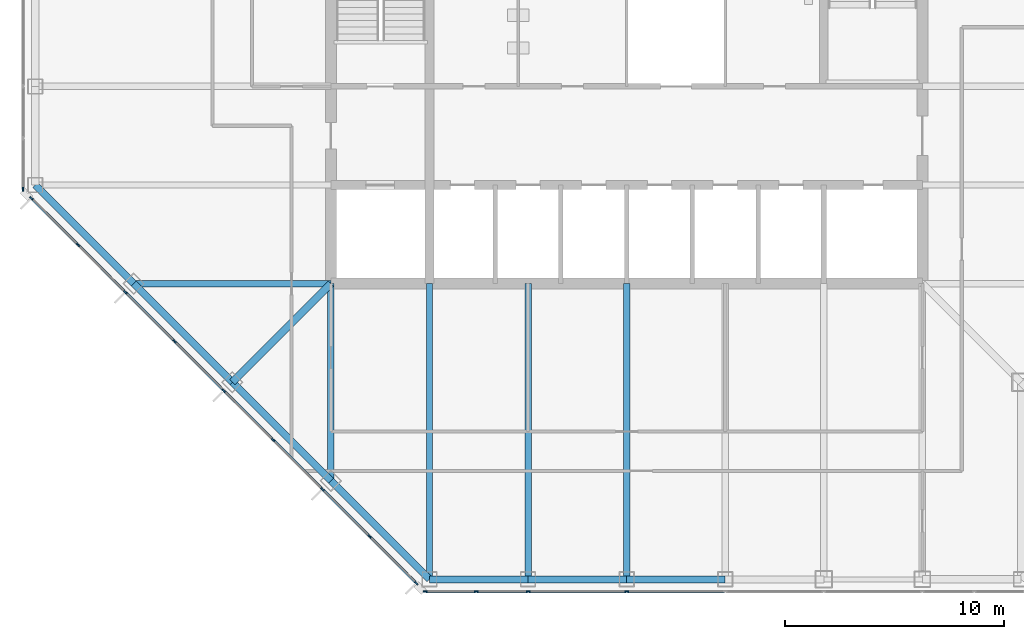
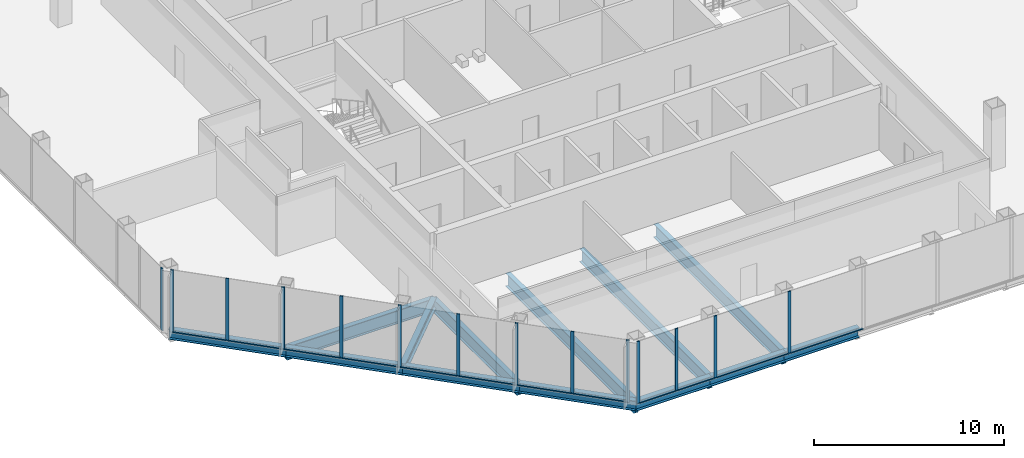
# One storey, part 2 of 13: 26 members, 13 beams, 3 elements without a shape of their own.
"""IFC4 building model written with IfcOpenShell, lengths in metres."""

import ifcopenshell
import ifcopenshell.guid

model = None  # the IFC model being written
_history = None  # IfcOwnerHistory: only IFC2X3 demands one
_inside = {}  # id of a spatial element -> (the spatial element, [elements in it])
_under = {}  # id of a project, library or spatial element -> (it, [spatial elements below it])
_declared = {}  # id of a project -> (the project, [libraries it declares])
_typed = {}  # id of a type object -> (the type object, [elements of that type])
_made_of = {}  # id of a material, layer set ... -> (it, [elements and type objects made of it])


def new_model(schema):
    """Start an empty IFC model of exactly this schema.

    Asked for "IFC4X3", IfcOpenShell would pick the latest addendum, in which some entities
    have other attributes; the version numbers below select the first issue.
    IFC2X3 requires an IfcOwnerHistory on every rooted entity: one is made here for all.
    """
    global model, _history
    if schema == "IFC4X3":
        model = ifcopenshell.file(schema_version=(4, 3, 0, 0))
    else:
        model = ifcopenshell.file(schema=schema)
    _inside.clear()
    _under.clear()
    _declared.clear()
    _typed.clear()
    _made_of.clear()
    _history = None
    if model.schema == "IFC2X3":
        org = make("IfcOrganization", Name="unknown")
        user = make(
            "IfcPersonAndOrganization",
            ThePerson=make("IfcPerson", FamilyName="unknown"),
            TheOrganization=org,
        )
        app = make(
            "IfcApplication",
            ApplicationDeveloper=org,
            Version="unknown",
            ApplicationFullName="unknown",
            ApplicationIdentifier="unknown",
        )
        _history = make(
            "IfcOwnerHistory",
            OwningUser=user,
            OwningApplication=app,
            ChangeAction="ADDED",
            CreationDate=0,
        )
    return model


def make(cls, **values):
    """One entity of the class cls with the attributes given. An attribute that is None is left unset."""
    return model.create_entity(
        cls, **{name: value for name, value in values.items() if value is not None}
    )


def rooted(cls, **values):
    """An entity with a GlobalId (a new one), such as an element, a storey or a relation."""
    return make(cls, GlobalId=ifcopenshell.guid.new(), OwnerHistory=_history, **values)


def si_unit(unit_type, name, prefix=None):
    """IfcSIUnit, for example si_unit("LENGTHUNIT", "METRE", prefix="MILLI")."""
    return make("IfcSIUnit", UnitType=unit_type, Prefix=prefix, Name=name)


def assignment(units):
    """IfcUnitAssignment: the units of a project."""
    return None if units is None else make("IfcUnitAssignment", Units=units)


def point(xyz):
    """IfcCartesianPoint."""
    return None if xyz is None else make("IfcCartesianPoint", Coordinates=xyz)


def direction(xyz):
    """IfcDirection."""
    return None if xyz is None else make("IfcDirection", DirectionRatios=xyz)


def frame(location, z_axis=None, x_axis=None):
    """IfcAxis2Placement3D, a coordinate frame: its origin and axes. An axis left out is left unset."""
    return make(
        "IfcAxis2Placement3D",
        Location=point(location),
        Axis=direction(z_axis),
        RefDirection=direction(x_axis),
    )


def frame_2d(location, x_axis=None):
    """IfcAxis2Placement2D, a coordinate frame in the plane: its origin and x axis."""
    return make(
        "IfcAxis2Placement2D", Location=point(location), RefDirection=direction(x_axis)
    )


def origin():
    """The frame at (0, 0, 0) with its axes left unset."""
    return frame((0.0, 0.0, 0.0))


def origin_2d():
    """The frame at (0, 0) in the plane with its x axis left unset."""
    return frame_2d((0.0, 0.0))


def place(relative_to, where):
    """IfcLocalPlacement: puts the frame where relative to a parent placement (None: the world)."""
    return make(
        "IfcLocalPlacement", PlacementRelTo=relative_to, RelativePlacement=where
    )


def context(
    kind, dimensions, precision=None, world=None, true_north=None, identifier=None
):
    """IfcGeometricRepresentationContext, for example the 3D "Model" context."""
    return make(
        "IfcGeometricRepresentationContext",
        ContextIdentifier=identifier,
        ContextType=kind,
        CoordinateSpaceDimension=dimensions,
        Precision=precision,
        WorldCoordinateSystem=world,
        TrueNorth=true_north,
    )


def subcontext(parent, identifier, kind, view, scale=None):
    """IfcGeometricRepresentationSubContext, for example "Body" below "Model"."""
    return make(
        "IfcGeometricRepresentationSubContext",
        ContextIdentifier=identifier,
        ContextType=kind,
        ParentContext=parent,
        TargetScale=scale,
        TargetView=view,
    )


def project(units=None, contexts=None):
    """IfcProject with its units and contexts."""
    return rooted(
        "IfcProject",
        Name="project",
        RepresentationContexts=contexts,
        UnitsInContext=assignment(units),
    )


def spatial(cls, under=None, at=None, **own):
    """A site, building, storey or space (cls), placed at a placement, below another one or the project."""
    s = rooted(cls, ObjectPlacement=at, **own)
    if under is not None:
        _under.setdefault(under.id(), (under, []))[1].append(s)
    return s


def profile(cls, at=None, kind="AREA", **sizes):
    """A parametric profile (cls). Its sizes go by their IFC names, for example OverallWidth=200.0."""
    return make(cls, ProfileType=kind, Position=at, **sizes)


def rectangle(**sizes):
    """IfcRectangleProfileDef."""
    return profile("IfcRectangleProfileDef", **sizes)


def i_section(**sizes):
    """IfcIShapeProfileDef."""
    return profile("IfcIShapeProfileDef", **sizes)


def extrude(swept, where, along, depth):
    """IfcExtrudedAreaSolid: the profile swept, set in the frame where, extruded along a direction by depth."""
    return make(
        "IfcExtrudedAreaSolid",
        SweptArea=swept,
        Position=where,
        ExtrudedDirection=direction(along),
        Depth=depth,
    )


def shape(context_of_items, identifier, shape_type, items):
    """IfcShapeRepresentation: the items that make up one representation, for example the "Body"."""
    return make(
        "IfcShapeRepresentation",
        ContextOfItems=context_of_items,
        RepresentationIdentifier=identifier,
        RepresentationType=shape_type,
        Items=items,
    )


def material(Name=None, Category=None):
    """IfcMaterial."""
    return make("IfcMaterial", Name=Name, Category=Category)


def material_profile(
    of_material, cross_section, Name=None, Category=None, Priority=None
):
    """IfcMaterialProfile: a cross section and its material."""
    return make(
        "IfcMaterialProfile",
        Name=Name,
        Material=of_material,
        Profile=cross_section,
        Priority=Priority,
        Category=Category,
    )


def profile_set(profiles, Name=None, composite=None):
    """IfcMaterialProfileSet."""
    return make(
        "IfcMaterialProfileSet",
        Name=Name,
        MaterialProfiles=profiles,
        CompositeProfile=composite,
    )


def made_of(thing, what):
    """Note that an element or type object is made of a material, layer set ...; save() writes the relation."""
    if what is not None:
        _made_of.setdefault(what.id(), (what, []))[1].append(thing)
    return thing


def type_object(cls, material=None, **own):
    """A type object (cls), such as IfcWallType, which elements share."""
    return made_of(rooted(cls, **own), material)


def element(
    cls,
    number,
    at=None,
    inside=None,
    cuts=None,
    type_object=None,
    material=None,
    context=None,
    identifier="Body",
    shape_type=None,
    held_by="IfcProductDefinitionShape",
    body=None,
    shapes=None,
    **own,
):
    """One element of the class cls, such as IfcWall. Its Tag is "e" and its number.

    at: its placement. inside: the storey or other place that contains it. cuts: it is an
    opening in that element (IfcRelVoidsElement). A single representation is given by context,
    identifier, shape_type and body (its items); several are given by shapes. held_by: the class
    of the entity that holds the representations. save() writes the other relations.
    """
    e = rooted(cls, Tag="e%d" % number, ObjectPlacement=at, **own)
    if body is not None:
        shapes = [shape(context, identifier, shape_type, body)]
    if shapes is not None:
        e.Representation = make(held_by, Representations=shapes)
    if inside is not None:
        _inside.setdefault(inside.id(), (inside, []))[1].append(e)
    if cuts is not None:
        rooted(
            "IfcRelVoidsElement", RelatingBuildingElement=cuts, RelatedOpeningElement=e
        )
    if type_object is not None:
        _typed.setdefault(type_object.id(), (type_object, []))[1].append(e)
    return made_of(e, material)


def aggregate(whole, parts):
    """IfcRelAggregates: a whole, such as a stair, and the parts it consists of."""
    return rooted("IfcRelAggregates", RelatingObject=whole, RelatedObjects=parts)


def save(model, path):
    """Write the relations noted so far, then the file.

    IfcRelAggregates (storeys below a building ...), IfcRelContainedInSpatialStructure (elements
    in a storey), IfcRelDefinesByType, IfcRelAssociatesMaterial and IfcRelDeclares: one each for
    every whole, place, type object, material and project.
    """
    for whole, parts in _under.values():
        aggregate(whole, parts)
    for where, things in _inside.values():
        rooted(
            "IfcRelContainedInSpatialStructure",
            RelatedElements=things,
            RelatingStructure=where,
        )
    for kind, things in _typed.values():
        rooted("IfcRelDefinesByType", RelatedObjects=things, RelatingType=kind)
    for what, things in _made_of.values():
        rooted("IfcRelAssociatesMaterial", RelatedObjects=things, RelatingMaterial=what)
    for by, libraries in _declared.values():
        rooted("IfcRelDeclares", RelatingContext=by, RelatedDefinitions=libraries)
    model.write(path)


model = new_model("IFC4")

# Units and contexts
model_context = context("Model", 3, precision=1e-05, world=origin(), true_north=direction((0.0, 1.0)))
body_context = subcontext(model_context, "Body", "Model", "MODEL_VIEW")
ifc_project = project(units=[si_unit("LENGTHUNIT", "METRE"), si_unit("AREAUNIT", "SQUARE_METRE"), si_unit("VOLUMEUNIT", "CUBIC_METRE"), si_unit("PLANEANGLEUNIT", "RADIAN"), si_unit("MASSUNIT", "GRAM", prefix="KILO")], contexts=[model_context])

# Site, building, storey
site_placement = place(None, origin())
site = spatial("IfcSite", under=ifc_project, at=site_placement, CompositionType="ELEMENT")
building_placement = place(site_placement, origin())
building = spatial("IfcBuilding", under=site, at=building_placement, Name="Corais Broadcast Tower", CompositionType="ELEMENT")
storey_placement = place(building_placement, frame((0.0, 0.0, 167.60009765625)))
storey = spatial("IfcBuildingStorey", under=building, at=storey_placement, Name="L38", CompositionType="ELEMENT", Elevation=167.60009765625)

# Beams
ifc_material_1 = material(Name="Steel ASTM A572 Grade 50", Category="steel")
ifc_material_profile_1 = material_profile(ifc_material_1, i_section(OverallWidth=0.323974609375, OverallDepth=0.611083984375, WebThickness=0.0126953125, FlangeThickness=0.01904296875, at=origin_2d()), Name="W610x155")
ifc_profile_set_1 = profile_set([ifc_material_profile_1], Name="Steel ASTM A572 Grade 50")
beam_type_1 = type_object("IfcBeamType", Name="Corner diagonal W610x155", PredefinedType="BEAM", material=ifc_profile_set_1)
beam_1_placement = place(storey_placement, frame((9.0, 9.0, -0.465576171875), z_axis=(0.707106781187, 0.707106781187, 0.0), x_axis=(-0.707106781187, 0.707106781187, 0.0)))
element("IfcBeam", 1, at=beam_1_placement, inside=storey, type_object=beam_type_1, Name="B6 C/5 to D/6", PredefinedType="BEAM", context=body_context, shape_type="SweptSolid", body=[
    extrude(i_section(OverallWidth=0.323974609375, OverallDepth=0.611083984375, WebThickness=0.0126953125, FlangeThickness=0.01904296875, at=origin_2d()), origin(), (0.0, 0.0, 1.0), 6.364013671875),
])
ifc_material_2 = material(Name="Steel ASTM A572 Grade 50", Category="steel")
ifc_material_profile_2 = material_profile(ifc_material_2, i_section(OverallWidth=0.2939453125, OverallDepth=0.85107421875, WebThickness=0.01611328125, FlangeThickness=0.02685546875, at=origin_2d()), Name="W840x226")
ifc_profile_set_2 = profile_set([ifc_material_profile_2], Name="Steel ASTM A572 Grade 50")
beam_type_2 = type_object("IfcBeamType", Name="Floor beam W840x226", PredefinedType="BEAM", material=ifc_profile_set_2)
beam_2_placement = place(storey_placement, frame((13.5, 4.5, -0.585693359375), z_axis=(0.0, 1.0, 0.0), x_axis=(-1.0, 0.0, 0.0)))
element("IfcBeam", 2, at=beam_2_placement, inside=storey, type_object=beam_type_2, Name="B1 B/6 to D/6", PredefinedType="BEAM", context=body_context, shape_type="SweptSolid", body=[
    extrude(i_section(OverallWidth=0.2939453125, OverallDepth=0.85107421875, WebThickness=0.01611328125, FlangeThickness=0.02685546875, at=origin_2d()), origin(), (0.0, 0.0, 1.0), 9.0),
])
for number, where, z_axis, x_axis, name in (
    (3, (18.0, 0.0, -0.585693359375), (0.0, 1.0, 0.0), (-1.0, 0.0, 0.0), "B1 A/7 to D/7"),
    (4, (22.5, 0.0, -0.585693359375), (0.0, 1.0, 0.0), (-1.0, 0.0, 0.0), "B1 A/8 to D/8"),
    (5, (27.0, 0.0, -0.585693359375), (0.0, 1.0, 0.0), (-1.0, 0.0, 0.0), "B1 A/9 to D/9"),
):
    element("IfcBeam", number, at=place(storey_placement, frame(where, z_axis=z_axis, x_axis=x_axis)), inside=storey, type_object=beam_type_2, Name=name, PredefinedType="BEAM", context=body_context, shape_type="SweptSolid", body=[
        extrude(i_section(OverallWidth=0.2939453125, OverallDepth=0.85107421875, WebThickness=0.01611328125, FlangeThickness=0.02685546875, at=origin_2d()), origin(), (0.0, 0.0, 1.0), 13.5),
    ])
beam_3_placement = place(storey_placement, frame((4.5, 13.5, -0.585693359375), z_axis=(1.0, 0.0, 0.0), x_axis=(0.0, 1.0, 0.0)))
element("IfcBeam", 6, at=beam_3_placement, inside=storey, type_object=beam_type_2, Name="B1 D/4 to D/6", PredefinedType="BEAM", context=body_context, shape_type="SweptSolid", body=[
    extrude(i_section(OverallWidth=0.2939453125, OverallDepth=0.85107421875, WebThickness=0.01611328125, FlangeThickness=0.02685546875, at=origin_2d()), origin(), (0.0, 0.0, 1.0), 9.0),
])

# Curtain wall, members
ifc_material_3 = material(Name="Aluminium and glass", Category="aluminium")
curtain_wall_type = type_object("IfcCurtainWallType", Name="Unitised fritted curtain wall CW2", PredefinedType="NOTDEFINED", material=ifc_material_3)
curtain_wall_1_placement = place(storey_placement, origin())
curtain_wall_1 = element("IfcCurtainWall", 7, at=curtain_wall_1_placement, inside=storey, type_object=curtain_wall_type, Name="CW2 curtain wall L38 1", PredefinedType="NOTDEFINED")
ifc_material_4 = material(Name="Aluminium 6063-T6", Category="aluminium")
ifc_material_profile_3 = material_profile(ifc_material_4, rectangle(XDim=0.06494140625, YDim=0.179931640625, at=origin_2d()), Name="Mullion CW2 65x180")
ifc_profile_set_3 = profile_set([ifc_material_profile_3], Name="Aluminium 6063-T6")
member_type_1 = type_object("IfcMemberType", Name="Mullion CW2 65x180", PredefinedType="MULLION", material=ifc_profile_set_3)
member_1_placement = place(storey_placement, frame((17.3955078125, -0.17333984375, 0.0), z_axis=(0.0, 0.0, 1.0), x_axis=(-0.707106781187, -0.707106781187, 0.0)))
member_1 = element("IfcMember", 8, at=member_1_placement, type_object=member_type_1, Name="CW2 mullion 1", PredefinedType="MULLION", context=body_context, shape_type="SweptSolid", body=[
    extrude(rectangle(XDim=0.06494140625, YDim=0.179931640625, at=origin_2d()), origin(), (0.0, 0.0, 1.0), 4.0),
])
member_2_placement = place(storey_placement, frame((15.264892578125, 1.957275390625, 0.0), z_axis=(0.0, 0.0, 1.0), x_axis=(-0.707106781187, -0.707106781187, 0.0)))
member_2 = element("IfcMember", 9, at=member_2_placement, type_object=member_type_1, Name="CW2 mullion 2", PredefinedType="MULLION", context=body_context, shape_type="SweptSolid", body=[
    extrude(rectangle(XDim=0.06494140625, YDim=0.179931640625, at=origin_2d()), origin(), (0.0, 0.0, 1.0), 4.0),
])
member_3_placement = place(storey_placement, frame((13.111083984375, 4.111083984375, 0.0), z_axis=(0.0, 0.0, 1.0), x_axis=(-0.707106781187, -0.707106781187, 0.0)))
member_3 = element("IfcMember", 10, at=member_3_placement, type_object=member_type_1, Name="CW2 mullion 3", PredefinedType="MULLION", context=body_context, shape_type="SweptSolid", body=[
    extrude(rectangle(XDim=0.06494140625, YDim=0.179931640625, at=origin_2d()), origin(), (0.0, 0.0, 1.0), 4.0),
])
member_4_placement = place(storey_placement, frame((10.861083984375, 6.361083984375, 0.0), z_axis=(0.0, 0.0, 1.0), x_axis=(-0.707106781187, -0.707106781187, 0.0)))
member_4 = element("IfcMember", 11, at=member_4_placement, type_object=member_type_1, Name="CW2 mullion 4", PredefinedType="MULLION", context=body_context, shape_type="SweptSolid", body=[
    extrude(rectangle(XDim=0.06494140625, YDim=0.179931640625, at=origin_2d()), origin(), (0.0, 0.0, 1.0), 4.0),
])
member_5_placement = place(storey_placement, frame((8.611083984375, 8.611083984375, 0.0), z_axis=(0.0, 0.0, 1.0), x_axis=(-0.707106781187, -0.707106781187, 0.0)))
member_5 = element("IfcMember", 12, at=member_5_placement, type_object=member_type_1, Name="CW2 mullion 5", PredefinedType="MULLION", context=body_context, shape_type="SweptSolid", body=[
    extrude(rectangle(XDim=0.06494140625, YDim=0.179931640625, at=origin_2d()), origin(), (0.0, 0.0, 1.0), 4.0),
])
member_6_placement = place(storey_placement, frame((6.361083984375, 10.861083984375, 0.0), z_axis=(0.0, 0.0, 1.0), x_axis=(-0.707106781187, -0.707106781187, 0.0)))
member_6 = element("IfcMember", 13, at=member_6_placement, type_object=member_type_1, Name="CW2 mullion 6", PredefinedType="MULLION", context=body_context, shape_type="SweptSolid", body=[
    extrude(rectangle(XDim=0.06494140625, YDim=0.179931640625, at=origin_2d()), origin(), (0.0, 0.0, 1.0), 4.0),
])
member_7_placement = place(storey_placement, frame((4.111083984375, 13.111083984375, 0.0), z_axis=(0.0, 0.0, 1.0), x_axis=(-0.707106781187, -0.707106781187, 0.0)))
member_7 = element("IfcMember", 14, at=member_7_placement, type_object=member_type_1, Name="CW2 mullion 7", PredefinedType="MULLION", context=body_context, shape_type="SweptSolid", body=[
    extrude(rectangle(XDim=0.06494140625, YDim=0.179931640625, at=origin_2d()), origin(), (0.0, 0.0, 1.0), 4.0),
])
member_8_placement = place(storey_placement, frame((1.957275390625, 15.264892578125, 0.0), z_axis=(0.0, 0.0, 1.0), x_axis=(-0.707106781187, -0.707106781187, 0.0)))
member_8 = element("IfcMember", 15, at=member_8_placement, type_object=member_type_1, Name="CW2 mullion 8", PredefinedType="MULLION", context=body_context, shape_type="SweptSolid", body=[
    extrude(rectangle(XDim=0.06494140625, YDim=0.179931640625, at=origin_2d()), origin(), (0.0, 0.0, 1.0), 4.0),
])
member_9_placement = place(storey_placement, frame((-0.17333984375, 17.3955078125, 0.0), z_axis=(0.0, 0.0, 1.0), x_axis=(-0.707106781187, -0.707106781187, 0.0)))
member_9 = element("IfcMember", 16, at=member_9_placement, type_object=member_type_1, Name="CW2 mullion 9", PredefinedType="MULLION", context=body_context, shape_type="SweptSolid", body=[
    extrude(rectangle(XDim=0.06494140625, YDim=0.179931640625, at=origin_2d()), origin(), (0.0, 0.0, 1.0), 4.0),
])

# Curtain wall, member
curtain_wall_2_placement = place(storey_placement, origin())
curtain_wall_2 = element("IfcCurtainWall", 17, at=curtain_wall_2_placement, inside=storey, type_object=curtain_wall_type, Name="CW2 curtain wall L38 2", PredefinedType="NOTDEFINED")
member_10_placement = place(storey_placement, frame((-0.550048828125, 17.8046875, 0.0), z_axis=(0.0, 0.0, 1.0), x_axis=(-1.0, 0.0, 0.0)))
member_10 = element("IfcMember", 18, at=member_10_placement, type_object=member_type_1, Name="CW2 mullion 1", PredefinedType="MULLION", context=body_context, shape_type="SweptSolid", body=[
    extrude(rectangle(XDim=0.06494140625, YDim=0.179931640625, at=origin_2d()), origin(), (0.0, 0.0, 1.0), 4.0),
])
aggregate(curtain_wall_2, [member_10])

# Curtain wall, members
curtain_wall_3_placement = place(storey_placement, origin())
curtain_wall_3 = element("IfcCurtainWall", 19, at=curtain_wall_3_placement, inside=storey, type_object=curtain_wall_type, Name="CW2 curtain wall L38 8", PredefinedType="NOTDEFINED")
member_11_placement = place(storey_placement, frame((27.0, -0.550048828125, 0.0), z_axis=(0.0, 0.0, 1.0), x_axis=(0.0, -1.0, 0.0)))
member_11 = element("IfcMember", 20, at=member_11_placement, type_object=member_type_1, Name="CW2 mullion 6", PredefinedType="MULLION", context=body_context, shape_type="SweptSolid", body=[
    extrude(rectangle(XDim=0.06494140625, YDim=0.179931640625, at=origin_2d()), origin(), (0.0, 0.0, 1.0), 4.0),
])
member_12_placement = place(storey_placement, frame((22.5, -0.550048828125, 0.0), z_axis=(0.0, 0.0, 1.0), x_axis=(0.0, -1.0, 0.0)))
member_12 = element("IfcMember", 21, at=member_12_placement, type_object=member_type_1, Name="CW2 mullion 7", PredefinedType="MULLION", context=body_context, shape_type="SweptSolid", body=[
    extrude(rectangle(XDim=0.06494140625, YDim=0.179931640625, at=origin_2d()), origin(), (0.0, 0.0, 1.0), 4.0),
])
member_13_placement = place(storey_placement, frame((20.135986328125, -0.550048828125, 0.0), z_axis=(0.0, 0.0, 1.0), x_axis=(0.0, -1.0, 0.0)))
member_13 = element("IfcMember", 22, at=member_13_placement, type_object=member_type_1, Name="CW2 mullion 8", PredefinedType="MULLION", context=body_context, shape_type="SweptSolid", body=[
    extrude(rectangle(XDim=0.06494140625, YDim=0.179931640625, at=origin_2d()), origin(), (0.0, 0.0, 1.0), 4.0),
])
member_14_placement = place(storey_placement, frame((17.8046875, -0.550048828125, 0.0), z_axis=(0.0, 0.0, 1.0), x_axis=(0.0, -1.0, 0.0)))
member_14 = element("IfcMember", 23, at=member_14_placement, type_object=member_type_1, Name="CW2 mullion 9", PredefinedType="MULLION", context=body_context, shape_type="SweptSolid", body=[
    extrude(rectangle(XDim=0.06494140625, YDim=0.179931640625, at=origin_2d()), origin(), (0.0, 0.0, 1.0), 4.0),
])

# Beams
ifc_material_5 = material(Name="Steel ASTM A572 Grade 50", Category="steel")
ifc_material_profile_4 = material_profile(ifc_material_5, i_section(OverallWidth=0.3291015625, OverallDepth=0.635009765625, WebThickness=0.017822265625, FlangeThickness=0.031005859375, at=origin_2d()), Name="W610x241")
ifc_profile_set_4 = profile_set([ifc_material_profile_4], Name="Steel ASTM A572 Grade 50")
beam_type_3 = type_object("IfcBeamType", Name="Spandrel W610x241", PredefinedType="BEAM", material=ifc_profile_set_4)
for number, where, z_axis, x_axis, name in (
    (24, (0.0, 18.0, -0.4775390625), (0.707106781187, -0.707106781187, 0.0), (0.707106781187, 0.707106781187, 0.0), "SB1 E/3 to D/4"),
    (25, (13.5, 4.5, -0.4775390625), (0.707106781187, -0.707106781187, 0.0), (0.707106781187, 0.707106781187, 0.0), "SB1 B/6 to A/7"),
):
    element("IfcBeam", number, at=place(storey_placement, frame(where, z_axis=z_axis, x_axis=x_axis)), inside=storey, type_object=beam_type_3, Name=name, PredefinedType="BEAM", context=body_context, shape_type="SweptSolid", body=[
        extrude(i_section(OverallWidth=0.3291015625, OverallDepth=0.635009765625, WebThickness=0.017822265625, FlangeThickness=0.031005859375, at=origin_2d()), origin(), (0.0, 0.0, 1.0), 6.364013671875),
    ])
for number, where, z_axis, x_axis, name in (
    (26, (18.0, 0.0, -0.4775390625), (1.0, 0.0, 0.0), (0.0, 1.0, 0.0), "SB1 A/7 to A/8"),
    (27, (22.5, 0.0, -0.4775390625), (1.0, 0.0, 0.0), (0.0, 1.0, 0.0), "SB1 A/8 to A/9"),
    (28, (27.0, 0.0, -0.4775390625), (1.0, 0.0, 0.0), (0.0, 1.0, 0.0), "SB1 A/9 to A/10"),
):
    element("IfcBeam", number, at=place(storey_placement, frame(where, z_axis=z_axis, x_axis=x_axis)), inside=storey, type_object=beam_type_3, Name=name, PredefinedType="BEAM", context=body_context, shape_type="SweptSolid", body=[
        extrude(i_section(OverallWidth=0.3291015625, OverallDepth=0.635009765625, WebThickness=0.017822265625, FlangeThickness=0.031005859375, at=origin_2d()), origin(), (0.0, 0.0, 1.0), 4.5),
    ])
for number, where, z_axis, x_axis, name in (
    (29, (4.5, 13.5, -0.4775390625), (0.707106781187, -0.707106781187, 0.0), (0.707106781187, 0.707106781187, 0.0), "SB1 D/4 to C/5"),
    (30, (9.0, 9.0, -0.4775390625), (0.707106781187, -0.707106781187, 0.0), (0.707106781187, 0.707106781187, 0.0), "SB1 C/5 to B/6"),
):
    element("IfcBeam", number, at=place(storey_placement, frame(where, z_axis=z_axis, x_axis=x_axis)), inside=storey, type_object=beam_type_3, Name=name, PredefinedType="BEAM", context=body_context, shape_type="SweptSolid", body=[
        extrude(i_section(OverallWidth=0.3291015625, OverallDepth=0.635009765625, WebThickness=0.017822265625, FlangeThickness=0.031005859375, at=origin_2d()), origin(), (0.0, 0.0, 1.0), 6.364013671875),
    ])

# Member
ifc_material_6 = material(Name="Aluminium 6063-T6", Category="aluminium")
ifc_material_profile_5 = material_profile(ifc_material_6, rectangle(XDim=0.1298828125, YDim=0.06494140625, at=origin_2d()), Name="Transom CW2 65x130")
ifc_profile_set_5 = profile_set([ifc_material_profile_5], Name="Aluminium 6063-T6")
member_type_2 = type_object("IfcMemberType", Name="Transom CW2 65x130", PredefinedType="USERDEFINED", material=ifc_profile_set_5)
member_15_placement = place(storey_placement, frame((17.37255859375, -0.150390625, 0.032470703125), z_axis=(-0.707106781187, 0.707106781187, 0.0), x_axis=(-0.707106781187, -0.707106781187, 0.0)))
member_15 = element("IfcMember", 31, at=member_15_placement, type_object=member_type_2, Name="CW2 transom 1.1", ObjectType="TRANSOM", PredefinedType="USERDEFINED", context=body_context, shape_type="SweptSolid", body=[
    extrude(rectangle(XDim=0.1298828125, YDim=0.06494140625, at=origin_2d()), origin(), (0.0, 0.0, 1.0), 2.9482421875),
])

member_16_placement = place(storey_placement, frame((15.241943359375, 1.980224609375, 0.032470703125), z_axis=(-0.707106781187, 0.707106781187, 0.0), x_axis=(-0.707106781187, -0.707106781187, 0.0)))
member_16 = element("IfcMember", 32, at=member_16_placement, type_object=member_type_2, Name="CW2 transom 2.1", ObjectType="TRANSOM", PredefinedType="USERDEFINED", context=body_context, shape_type="SweptSolid", body=[
    extrude(rectangle(XDim=0.1298828125, YDim=0.06494140625, at=origin_2d()), origin(), (0.0, 0.0, 1.0), 2.98095703125),
])

member_17_placement = place(storey_placement, frame((13.088134765625, 4.134033203125, 0.032470703125), z_axis=(-0.707106781187, 0.707106781187, 0.0), x_axis=(-0.707106781187, -0.707106781187, 0.0)))
member_17 = element("IfcMember", 33, at=member_17_placement, type_object=member_type_2, Name="CW2 transom 3.1", ObjectType="TRANSOM", PredefinedType="USERDEFINED", context=body_context, shape_type="SweptSolid", body=[
    extrude(rectangle(XDim=0.1298828125, YDim=0.06494140625, at=origin_2d()), origin(), (0.0, 0.0, 1.0), 3.1171875),
])

member_18_placement = place(storey_placement, frame((10.838134765625, 6.384033203125, 0.032470703125), z_axis=(-0.707106781187, 0.707106781187, 0.0), x_axis=(-0.707106781187, -0.707106781187, 0.0)))
member_18 = element("IfcMember", 34, at=member_18_placement, type_object=member_type_2, Name="CW2 transom 4.1", ObjectType="TRANSOM", PredefinedType="USERDEFINED", context=body_context, shape_type="SweptSolid", body=[
    extrude(rectangle(XDim=0.1298828125, YDim=0.06494140625, at=origin_2d()), origin(), (0.0, 0.0, 1.0), 3.1171875),
])

member_19_placement = place(storey_placement, frame((8.588134765625, 8.634033203125, 0.032470703125), z_axis=(-0.707106781187, 0.707106781187, 0.0), x_axis=(-0.707106781187, -0.707106781187, 0.0)))
member_19 = element("IfcMember", 35, at=member_19_placement, type_object=member_type_2, Name="CW2 transom 5.1", ObjectType="TRANSOM", PredefinedType="USERDEFINED", context=body_context, shape_type="SweptSolid", body=[
    extrude(rectangle(XDim=0.1298828125, YDim=0.06494140625, at=origin_2d()), origin(), (0.0, 0.0, 1.0), 3.1171875),
])

member_20_placement = place(storey_placement, frame((6.338134765625, 10.884033203125, 0.032470703125), z_axis=(-0.707106781187, 0.707106781187, 0.0), x_axis=(-0.707106781187, -0.707106781187, 0.0)))
member_20 = element("IfcMember", 36, at=member_20_placement, type_object=member_type_2, Name="CW2 transom 6.1", ObjectType="TRANSOM", PredefinedType="USERDEFINED", context=body_context, shape_type="SweptSolid", body=[
    extrude(rectangle(XDim=0.1298828125, YDim=0.06494140625, at=origin_2d()), origin(), (0.0, 0.0, 1.0), 3.1171875),
])

member_21_placement = place(storey_placement, frame((4.088134765625, 13.134033203125, 0.032470703125), z_axis=(-0.707065828661, 0.70714773134, 0.0), x_axis=(-0.70714773134, -0.707065828661, 0.0)))
member_21 = element("IfcMember", 37, at=member_21_placement, type_object=member_type_2, Name="CW2 transom 7.1", ObjectType="TRANSOM", PredefinedType="USERDEFINED", context=body_context, shape_type="SweptSolid", body=[
    extrude(rectangle(XDim=0.1298828125, YDim=0.06494140625, at=origin_2d()), origin(), (0.0, 0.0, 1.0), 2.98095703125),
])

member_22_placement = place(storey_placement, frame((1.934326171875, 15.287841796875, 0.032470703125), z_axis=(-0.707106781187, 0.707106781187, 0.0), x_axis=(-0.707106781187, -0.707106781187, 0.0)))
member_22 = element("IfcMember", 38, at=member_22_placement, type_object=member_type_2, Name="CW2 transom 8.1", ObjectType="TRANSOM", PredefinedType="USERDEFINED", context=body_context, shape_type="SweptSolid", body=[
    extrude(rectangle(XDim=0.1298828125, YDim=0.06494140625, at=origin_2d()), origin(), (0.0, 0.0, 1.0), 2.9482421875),
])

aggregate(curtain_wall_1, [member_1, member_2, member_3, member_4, member_5, member_6, member_7, member_8, member_9, member_15, member_16, member_17, member_18, member_19, member_20, member_21, member_22])

member_23_placement = place(storey_placement, frame((31.467529296875, -0.550048828125, 0.032470703125), z_axis=(-1.0, 0.0, 0.0), x_axis=(0.0, -1.0, 0.0)))
member_23 = element("IfcMember", 39, at=member_23_placement, type_object=member_type_2, Name="CW2 transom 5.1", ObjectType="TRANSOM", PredefinedType="USERDEFINED", context=body_context, shape_type="SweptSolid", body=[
    extrude(rectangle(XDim=0.1298828125, YDim=0.06494140625, at=origin_2d()), origin(), (0.0, 0.0, 1.0), 4.43505859375),
])

member_24_placement = place(storey_placement, frame((26.967529296875, -0.550048828125, 0.032470703125), z_axis=(-1.0, 0.0, 0.0), x_axis=(0.0, -1.0, 0.0)))
member_24 = element("IfcMember", 40, at=member_24_placement, type_object=member_type_2, Name="CW2 transom 6.1", ObjectType="TRANSOM", PredefinedType="USERDEFINED", context=body_context, shape_type="SweptSolid", body=[
    extrude(rectangle(XDim=0.1298828125, YDim=0.06494140625, at=origin_2d()), origin(), (0.0, 0.0, 1.0), 4.43505859375),
])

member_25_placement = place(storey_placement, frame((22.467529296875, -0.550048828125, 0.032470703125), z_axis=(-1.0, 0.0, 0.0), x_axis=(0.0, -1.0, 0.0)))
member_25 = element("IfcMember", 41, at=member_25_placement, type_object=member_type_2, Name="CW2 transom 7.1", ObjectType="TRANSOM", PredefinedType="USERDEFINED", context=body_context, shape_type="SweptSolid", body=[
    extrude(rectangle(XDim=0.1298828125, YDim=0.06494140625, at=origin_2d()), origin(), (0.0, 0.0, 1.0), 2.298828125),
])

member_26_placement = place(storey_placement, frame((20.103515625, -0.550048828125, 0.032470703125), z_axis=(-1.0, 0.0, 0.0), x_axis=(0.0, -1.0, 0.0)))
member_26 = element("IfcMember", 42, at=member_26_placement, type_object=member_type_2, Name="CW2 transom 8.1", ObjectType="TRANSOM", PredefinedType="USERDEFINED", context=body_context, shape_type="SweptSolid", body=[
    extrude(rectangle(XDim=0.1298828125, YDim=0.06494140625, at=origin_2d()), origin(), (0.0, 0.0, 1.0), 2.266357421875),
])

aggregate(curtain_wall_3, [member_11, member_12, member_13, member_14, member_23, member_24, member_25, member_26])

save(model, "model.ifc")
